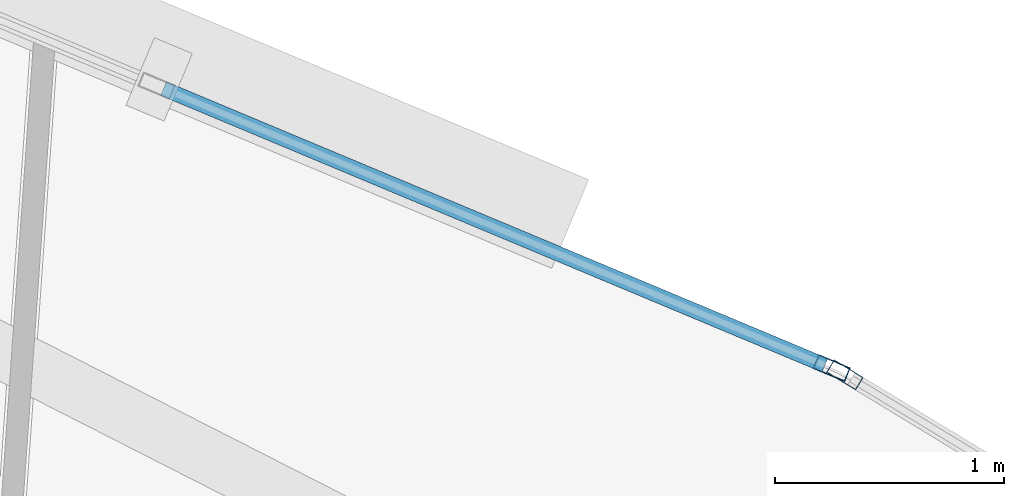
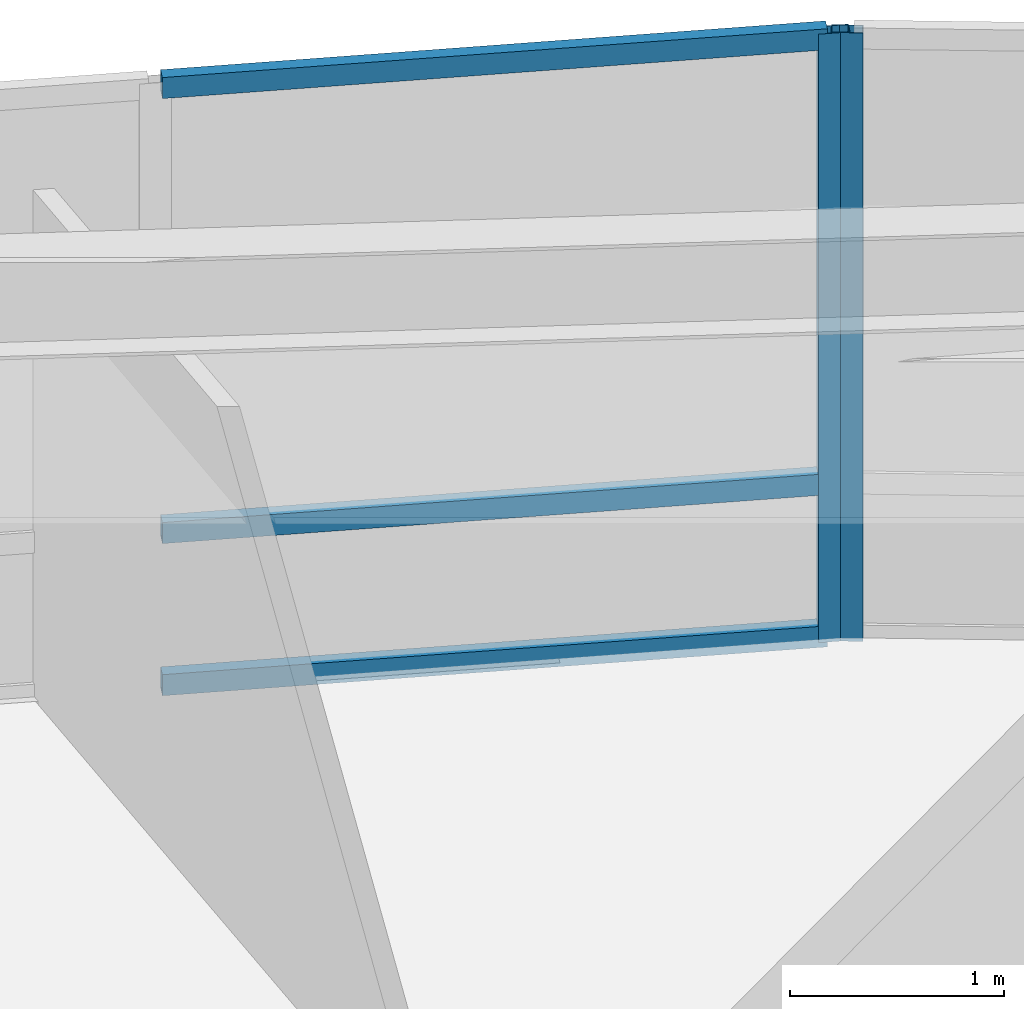
# One storey, part 13 of 19: 5 members, 2 elements without a shape of their own.
"""IFC4 building model written with IfcOpenShell, lengths in metres."""

from ifc_helpers import new_model, si_unit, direction, frame, origin, origin_2d, place, context, subcontext, project, spatial, hollow_rectangle, extrude, material, layer, layer_set, material_profile, profile_set, type_object, element, aggregate, save


model = new_model("IFC4")

# Units and contexts
model_context = context("Model", 3, precision=1e-05, world=origin(), true_north=direction((0.0, 1.0)))
body_context = subcontext(model_context, "Body", "Model", "MODEL_VIEW")
ifc_project = project(units=[si_unit("LENGTHUNIT", "METRE"), si_unit("AREAUNIT", "SQUARE_METRE"), si_unit("VOLUMEUNIT", "CUBIC_METRE"), si_unit("PLANEANGLEUNIT", "RADIAN"), si_unit("MASSUNIT", "GRAM", prefix="KILO")], contexts=[model_context])

# Site, building, storey
site_placement = place(None, origin())
site = spatial("IfcSite", under=ifc_project, at=site_placement, CompositionType="ELEMENT")
building_placement = place(site_placement, origin())
building = spatial("IfcBuilding", under=site, at=building_placement, Name="Menara Vayukalpa", CompositionType="ELEMENT")
storey_placement = place(building_placement, frame((0.0, 0.0, 122.580078125)))
storey = spatial("IfcBuildingStorey", under=building, at=storey_placement, Name="L30", CompositionType="ELEMENT", Elevation=122.580078125)

# Curtain wall, member
ifc_material_1 = material(Name="Anodised Terracotta Aluminium Alloy 6063-T6", Category="masonry")
ifc_layer = layer(ifc_material_1, 0.14990234375)
ifc_layer_set = layer_set([ifc_layer], Name="Anodised Terracotta Aluminium Alloy 6063-T6")
curtain_wall_type = type_object("IfcCurtainWallType", Name="CW-CW3", PredefinedType="USERDEFINED", material=ifc_layer_set)
curtain_wall_1_placement = place(storey_placement, origin())
curtain_wall_1 = element("IfcCurtainWall", 1, at=curtain_wall_1_placement, inside=storey, type_object=curtain_wall_type, Name="L30 Mid Rise Terracotta Ribbon Curtain Wall CW3 04", ObjectType="UNITISED", PredefinedType="USERDEFINED")
ifc_material_2 = material(Name="Anodised Terracotta Aluminium Alloy 6063-T6", Category="masonry")
ifc_material_profile_1 = material_profile(ifc_material_2, hollow_rectangle(XDim=0.06494140625, YDim=0.14990234375, WallThickness=0.00341796875, at=origin_2d()), Name="ALU 65x150x3.5")
ifc_profile_set_1 = profile_set([ifc_material_profile_1], Name="Anodised Terracotta Aluminium Alloy 6063-T6")
member_type_1 = type_object("IfcMemberType", Name="CWM-CW3", PredefinedType="MULLION", material=ifc_profile_set_1)
member_1_placement = place(storey_placement, frame((29.8935546875, 31.938232421875, 0.0), z_axis=(0.0, 0.0, 1.0), x_axis=(-0.519182959112, -0.854663123674, 0.0)))
member_1 = element("IfcMember", 2, at=member_1_placement, type_object=member_type_1, Name="CW3 mullion 3", PredefinedType="MULLION", context=body_context, shape_type="SweptSolid", body=[
    extrude(hollow_rectangle(XDim=0.06494140625, YDim=0.14990234375, WallThickness=0.00341796875, at=origin_2d()), origin(), (0.0, 0.0, 1.0), 3.469970703125),
])
aggregate(curtain_wall_1, [member_1])

# Curtain wall, members
curtain_wall_2_placement = place(storey_placement, origin())
curtain_wall_2 = element("IfcCurtainWall", 3, at=curtain_wall_2_placement, inside=storey, type_object=curtain_wall_type, Name="L30 Mid Rise Terracotta Ribbon Curtain Wall CW3 05", ObjectType="UNITISED", PredefinedType="USERDEFINED")
member_2_placement = place(storey_placement, frame((29.8359375, 31.9677734375, 0.0), z_axis=(0.0, 0.0, 1.0), x_axis=(-0.38589358437, -0.922543300632, 0.0)))
member_2 = element("IfcMember", 4, at=member_2_placement, type_object=member_type_1, Name="CW3 mullion 1", PredefinedType="MULLION", context=body_context, shape_type="SweptSolid", body=[
    extrude(hollow_rectangle(XDim=0.06494140625, YDim=0.14990234375, WallThickness=0.00341796875, at=origin_2d()), origin(), (0.0, 0.0, 1.0), 3.469970703125),
])
ifc_material_3 = material(Name="Anodised Terracotta Aluminium Alloy 6063-T6", Category="masonry")
ifc_material_profile_2 = material_profile(ifc_material_3, hollow_rectangle(XDim=0.06494140625, YDim=0.1201171875, WallThickness=0.00341796875, at=origin_2d()), Name="ALU 65x120x3.5")
ifc_profile_set_2 = profile_set([ifc_material_profile_2], Name="Anodised Terracotta Aluminium Alloy 6063-T6")
member_type_2 = type_object("IfcMemberType", Name="CWT-CW3", PredefinedType="USERDEFINED", material=ifc_profile_set_2)
member_3_placement = place(storey_placement, frame((29.805908203125, 31.980224609375, 0.032470703125), z_axis=(-0.922517812792, 0.385954511673, 0.0), x_axis=(-0.385954511673, -0.922517812792, 0.0)))
member_3 = element("IfcMember", 5, at=member_3_placement, type_object=member_type_2, Name="CW3 transom 1.1", ObjectType="TRANSOM", PredefinedType="USERDEFINED", context=body_context, shape_type="SweptSolid", body=[
    extrude(hollow_rectangle(XDim=0.06494140625, YDim=0.1201171875, WallThickness=0.00341796875, at=origin_2d()), origin(), (0.0, 0.0, 1.0), 3.1318359375),
])
member_4_placement = place(storey_placement, frame((29.805908203125, 31.980224609375, 0.89990234375), z_axis=(-0.922517812792, 0.385954511673, 0.0), x_axis=(-0.385954511673, -0.922517812792, 0.0)))
member_4 = element("IfcMember", 6, at=member_4_placement, type_object=member_type_2, Name="CW3 transom 1.2", ObjectType="TRANSOM", PredefinedType="USERDEFINED", context=body_context, shape_type="SweptSolid", body=[
    extrude(hollow_rectangle(XDim=0.06494140625, YDim=0.1201171875, WallThickness=0.00341796875, at=origin_2d()), origin(), (0.0, 0.0, 1.0), 3.1318359375),
])
member_5_placement = place(storey_placement, frame((29.805908203125, 31.980224609375, 3.4375), z_axis=(-0.922517812792, 0.385954511673, 0.0), x_axis=(-0.385954511673, -0.922517812792, 0.0)))
member_5 = element("IfcMember", 7, at=member_5_placement, type_object=member_type_2, Name="CW3 transom 1.3", ObjectType="TRANSOM", PredefinedType="USERDEFINED", context=body_context, shape_type="SweptSolid", body=[
    extrude(hollow_rectangle(XDim=0.06494140625, YDim=0.1201171875, WallThickness=0.00341796875, at=origin_2d()), origin(), (0.0, 0.0, 1.0), 3.1318359375),
])
aggregate(curtain_wall_2, [member_2, member_3, member_4, member_5])

save(model, "model.ifc")
